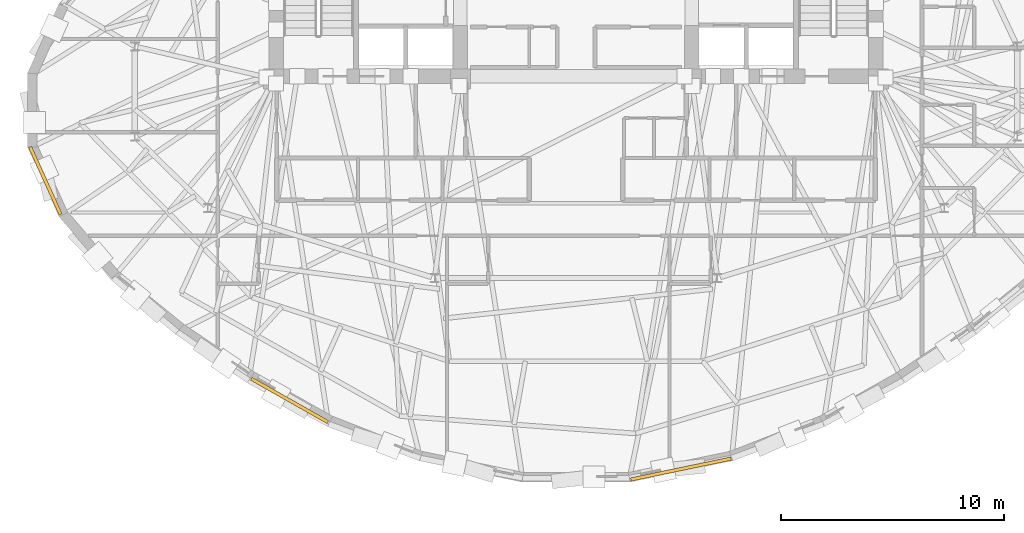
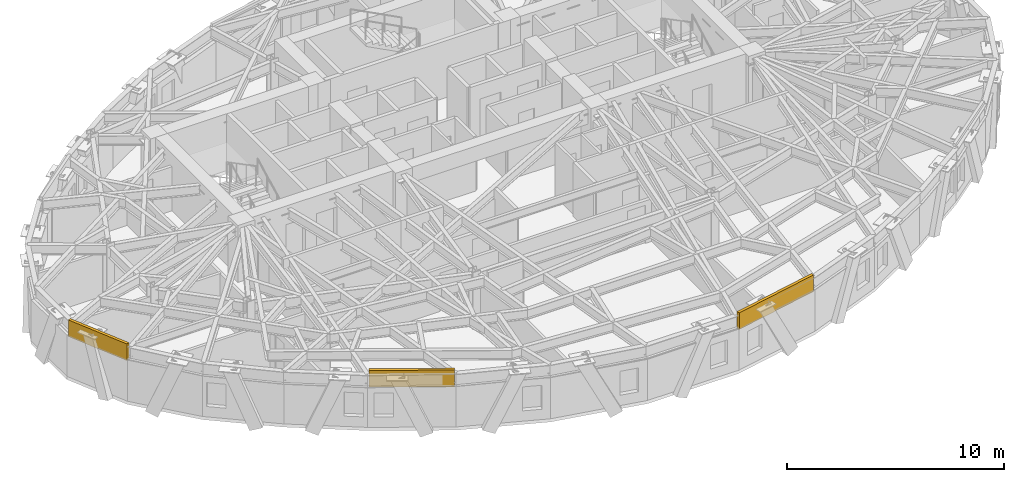
# One storey, part 11 of 14: 3 coverings.
"""IFC4 building model written with IfcOpenShell, lengths in metres."""

from ifc_helpers import new_model, si_unit, direction, frame, origin, origin_2d, place, context, subcontext, project, spatial, rectangle, extrude, material, layer, layer_set, type_object, element, save


model = new_model("IFC4")

# Units and contexts
model_context = context("Model", 3, precision=1e-05, world=origin(), true_north=direction((0.0, 1.0)))
body_context = subcontext(model_context, "Body", "Model", "MODEL_VIEW")
ifc_project = project(units=[si_unit("LENGTHUNIT", "METRE"), si_unit("AREAUNIT", "SQUARE_METRE"), si_unit("VOLUMEUNIT", "CUBIC_METRE"), si_unit("PLANEANGLEUNIT", "RADIAN"), si_unit("MASSUNIT", "GRAM", prefix="KILO")], contexts=[model_context])

# Site, building, storey
site_placement = place(None, origin())
site = spatial("IfcSite", under=ifc_project, at=site_placement, CompositionType="ELEMENT")
building_placement = place(site_placement, origin())
building = spatial("IfcBuilding", under=site, at=building_placement, Name="Keldmark Tower", CompositionType="ELEMENT")
storey_placement = place(building_placement, frame((0.0, 0.0, 188.60009765625)))
storey = spatial("IfcBuildingStorey", under=building, at=storey_placement, Name="L52", CompositionType="ELEMENT", Elevation=188.60009765625)

# Coverings
ifc_material = material(Name="Honed Kasota Buff Dolomitic Limestone", Category="masonry")
ifc_layer = layer(ifc_material, 0.074951171875)
ifc_layer_set = layer_set([ifc_layer], Name="Honed Kasota Buff Dolomitic Limestone")
covering_type = type_object("IfcCoveringType", Name="Kasota Buff Limestone Spandrel Cladding Band", PredefinedType="CLADDING", material=ifc_layer_set)
covering_1_placement = place(storey_placement, frame((-23.848388671875, -3.16748046875, 2.239013671875), z_axis=(0.0, 0.0, 1.0), x_axis=(0.4125798452, -0.910921440814, 0.0)))
element("IfcCovering", 1, at=covering_1_placement, inside=storey, type_object=covering_type, Name="L52 Kasota Limestone Spandrel Band 17", PredefinedType="CLADDING", context=body_context, shape_type="SweptSolid", body=[
    extrude(rectangle(XDim=3.319091796875, YDim=0.14990234375, at=origin_2d()), origin(), (0.0, 0.0, 1.0), 0.94091796875),
])
covering_2_placement = place(storey_placement, frame((-12.869140625, -13.045654296875, 2.239013671875), z_axis=(0.0, 0.0, 1.0), x_axis=(0.87035569594, -0.492423560103, 0.0)))
element("IfcCovering", 2, at=covering_2_placement, inside=storey, type_object=covering_type, Name="L52 Kasota Limestone Spandrel Band 21", PredefinedType="CLADDING", context=body_context, shape_type="SweptSolid", body=[
    extrude(rectangle(XDim=3.951171875, YDim=0.14990234375, at=origin_2d()), origin(), (0.0, 0.0, 1.0), 0.94091796875),
])
covering_3_placement = place(storey_placement, frame((4.716796875, -16.128173828125, 2.239013671875), z_axis=(0.0, 0.0, 1.0), x_axis=(0.979009915383, 0.203812623708, 0.0)))
element("IfcCovering", 3, at=covering_3_placement, inside=storey, type_object=covering_type, Name="L52 Kasota Limestone Spandrel Band 25", PredefinedType="CLADDING", context=body_context, shape_type="SweptSolid", body=[
    extrude(rectangle(XDim=4.60009765625, YDim=0.14990234375, at=origin_2d()), origin(), (0.0, 0.0, 1.0), 0.94091796875),
])

save(model, "model.ifc")
